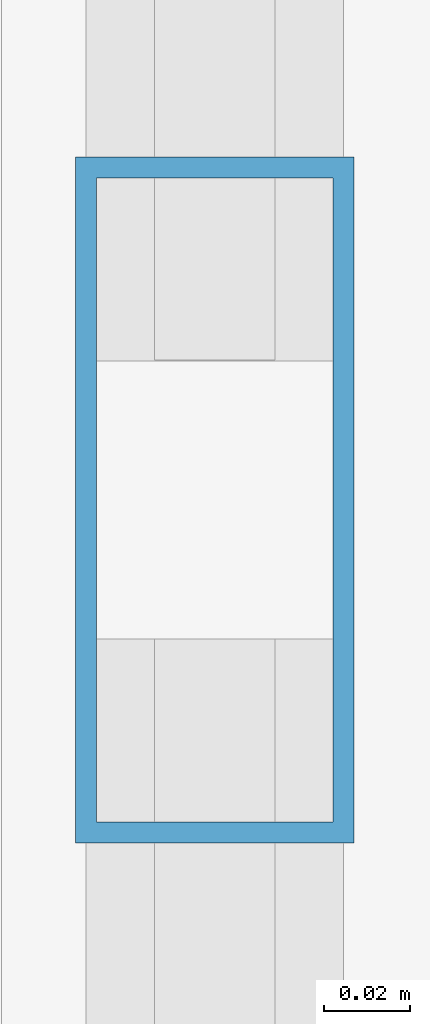
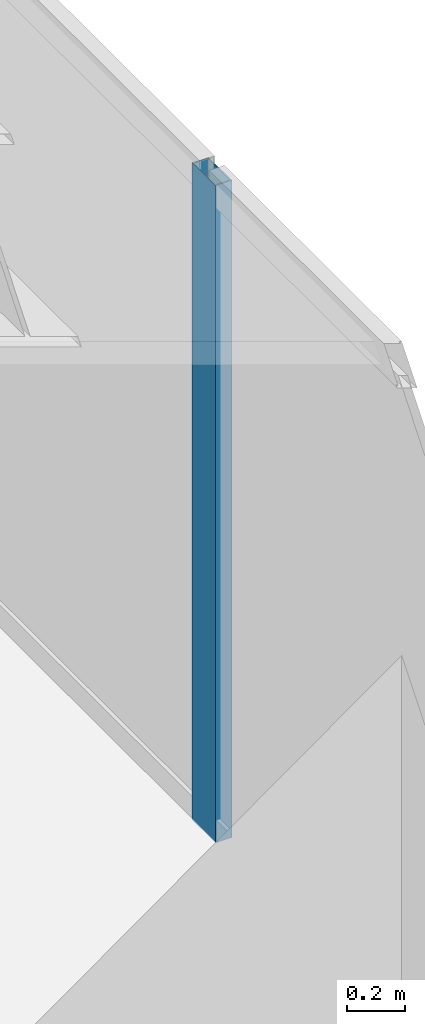
# One storey, part 11 of 27: 1 member, 1 element without a shape of its own.
"""IFC4 building model written with IfcOpenShell, lengths in metres."""

from ifc_helpers import new_model, si_unit, direction, frame, origin, origin_2d, place, context, subcontext, project, spatial, hollow_rectangle, extrude, source, transform, mapped, material, layer, layer_set, material_profile, profile_set, type_object, element, aggregate, save


model = new_model("IFC4")

# Units and contexts
model_context = context("Model", 3, precision=1e-05, world=origin(), true_north=direction((0.0, 1.0)))
body_context = subcontext(model_context, "Body", "Model", "MODEL_VIEW")
ifc_project = project(units=[si_unit("LENGTHUNIT", "METRE"), si_unit("AREAUNIT", "SQUARE_METRE"), si_unit("VOLUMEUNIT", "CUBIC_METRE"), si_unit("PLANEANGLEUNIT", "RADIAN"), si_unit("MASSUNIT", "GRAM", prefix="KILO")], contexts=[model_context])

# Site, building, storey
site_placement = place(None, origin())
site = spatial("IfcSite", under=ifc_project, at=site_placement, CompositionType="ELEMENT")
building_placement = place(site_placement, origin())
building = spatial("IfcBuilding", under=site, at=building_placement, Name="Sumidabori Civic Tower", CompositionType="ELEMENT")
storey_placement = place(building_placement, frame((0.0, 0.0, 142.39990234375)))
storey = spatial("IfcBuildingStorey", under=building, at=storey_placement, Name="L36", CompositionType="ELEMENT", Elevation=142.39990234375)

# Curtain wall, member
ifc_material = material(Name="Anodised Bronze Aluminium AW-6063-T6", Category="aluminium")
ifc_layer = layer(ifc_material, 0.179931640625, Name="Anodised Bronze Aluminium AW-6063-T6")
ifc_layer_set = layer_set([ifc_layer], Name="Anodised Bronze Aluminium AW-6063-T6")
curtain_wall_type = type_object("IfcCurtainWallType", Name="CW-SYS-3", PredefinedType="NOTDEFINED", material=ifc_layer_set)
curtain_wall_placement = place(storey_placement, origin())
curtain_wall = element("IfcCurtainWall", 1, at=curtain_wall_placement, inside=storey, type_object=curtain_wall_type, Name="Curtain Wall CW:L36:R04", PredefinedType="NOTDEFINED")
ifc_material_profile = material_profile(ifc_material, hollow_rectangle(XDim=0.06494140625, YDim=0.159912109375, WallThickness=0.0048828125, at=origin_2d()), Name="ALU MULLION 160x65")
ifc_profile_set = profile_set([ifc_material_profile], Name="Anodised Bronze Aluminium AW-6063-T6")
member_type = type_object("IfcMemberType", Name="CW-MUL-160", PredefinedType="MULLION", material=ifc_profile_set)
shared_shape = source(origin(), body_context, "Body", "SweptSolid", [
    extrude(hollow_rectangle(XDim=0.06494140625, YDim=0.159912109375, WallThickness=0.0048828125, at=origin_2d()), origin(), (0.0, 0.0, 1.0), 2.760009765625),
])
member_placement = place(storey_placement, frame((23.8798828125, -8.2099609375, 0.0), z_axis=(0.0, 0.0, 1.0), x_axis=(-1.0, 0.0, 0.0)))
member = element("IfcMember", 2, at=member_placement, type_object=member_type, Name="CW-3 mullion 2", PredefinedType="MULLION", context=body_context, shape_type="MappedRepresentation", body=[
    mapped(shared_shape, transform((0.0, 0.0, 0.0), x_axis=(1.0, 0.0, 0.0), y_axis=(0.0, 1.0, 0.0), z_axis=(0.0, 0.0, 1.0), scale=1.0)),
])
aggregate(curtain_wall, [member])

save(model, "model.ifc")
